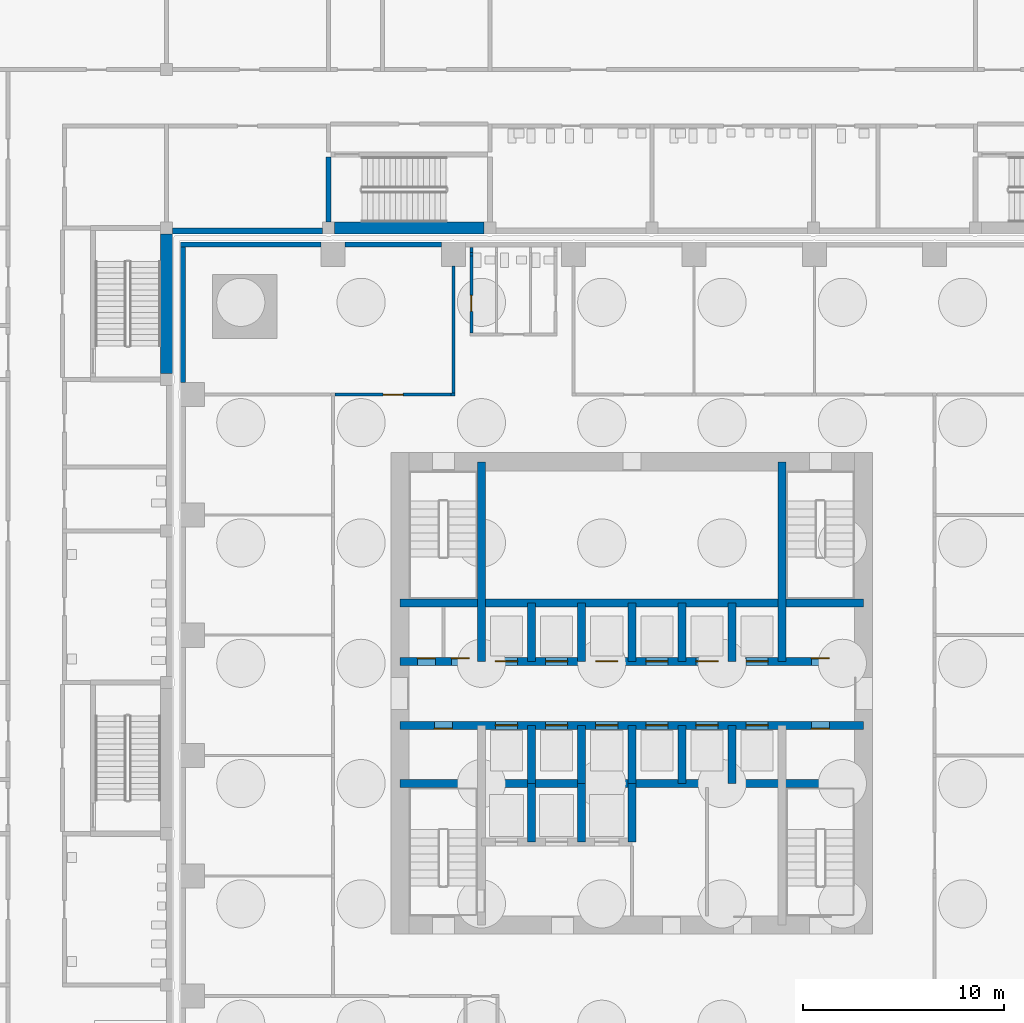
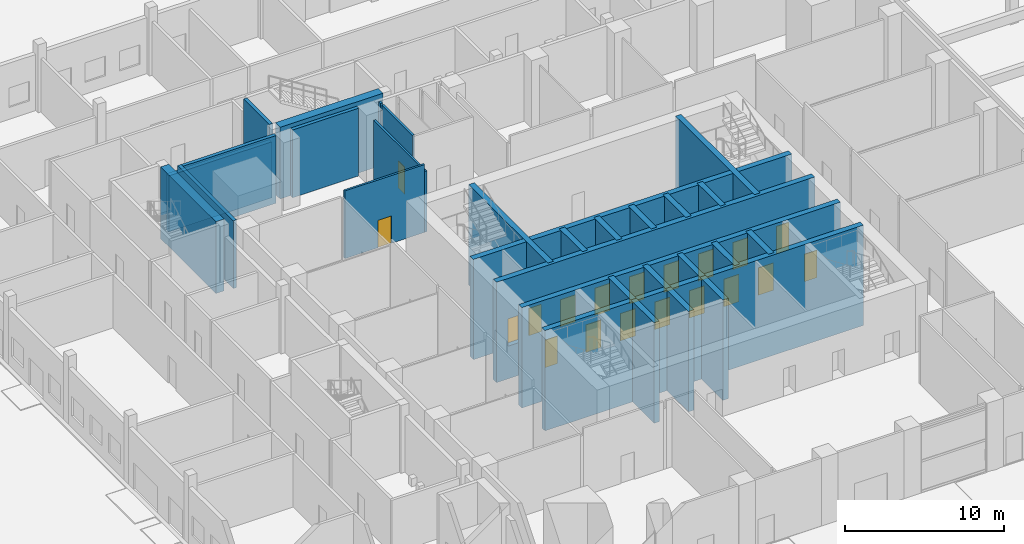
# One storey, part 14 of 33: 32 walls, 19 doors, 19 openings.
"""IFC4 building model written with IfcOpenShell, lengths in metres."""

import ifcopenshell
import ifcopenshell.guid

model = None  # the IFC model being written
_history = None  # IfcOwnerHistory: only IFC2X3 demands one
_inside = {}  # id of a spatial element -> (the spatial element, [elements in it])
_under = {}  # id of a project, library or spatial element -> (it, [spatial elements below it])
_declared = {}  # id of a project -> (the project, [libraries it declares])
_typed = {}  # id of a type object -> (the type object, [elements of that type])
_made_of = {}  # id of a material, layer set ... -> (it, [elements and type objects made of it])


def new_model(schema):
    """Start an empty IFC model of exactly this schema.

    Asked for "IFC4X3", IfcOpenShell would pick the latest addendum, in which some entities
    have other attributes; the version numbers below select the first issue.
    IFC2X3 requires an IfcOwnerHistory on every rooted entity: one is made here for all.
    """
    global model, _history
    if schema == "IFC4X3":
        model = ifcopenshell.file(schema_version=(4, 3, 0, 0))
    else:
        model = ifcopenshell.file(schema=schema)
    _inside.clear()
    _under.clear()
    _declared.clear()
    _typed.clear()
    _made_of.clear()
    _history = None
    if model.schema == "IFC2X3":
        org = make("IfcOrganization", Name="unknown")
        user = make(
            "IfcPersonAndOrganization",
            ThePerson=make("IfcPerson", FamilyName="unknown"),
            TheOrganization=org,
        )
        app = make(
            "IfcApplication",
            ApplicationDeveloper=org,
            Version="unknown",
            ApplicationFullName="unknown",
            ApplicationIdentifier="unknown",
        )
        _history = make(
            "IfcOwnerHistory",
            OwningUser=user,
            OwningApplication=app,
            ChangeAction="ADDED",
            CreationDate=0,
        )
    return model


def make(cls, **values):
    """One entity of the class cls with the attributes given. An attribute that is None is left unset."""
    return model.create_entity(
        cls, **{name: value for name, value in values.items() if value is not None}
    )


def rooted(cls, **values):
    """An entity with a GlobalId (a new one), such as an element, a storey or a relation."""
    return make(cls, GlobalId=ifcopenshell.guid.new(), OwnerHistory=_history, **values)


def si_unit(unit_type, name, prefix=None):
    """IfcSIUnit, for example si_unit("LENGTHUNIT", "METRE", prefix="MILLI")."""
    return make("IfcSIUnit", UnitType=unit_type, Prefix=prefix, Name=name)


def assignment(units):
    """IfcUnitAssignment: the units of a project."""
    return None if units is None else make("IfcUnitAssignment", Units=units)


def point(xyz):
    """IfcCartesianPoint."""
    return None if xyz is None else make("IfcCartesianPoint", Coordinates=xyz)


def direction(xyz):
    """IfcDirection."""
    return None if xyz is None else make("IfcDirection", DirectionRatios=xyz)


def frame(location, z_axis=None, x_axis=None):
    """IfcAxis2Placement3D, a coordinate frame: its origin and axes. An axis left out is left unset."""
    return make(
        "IfcAxis2Placement3D",
        Location=point(location),
        Axis=direction(z_axis),
        RefDirection=direction(x_axis),
    )


def frame_2d(location, x_axis=None):
    """IfcAxis2Placement2D, a coordinate frame in the plane: its origin and x axis."""
    return make(
        "IfcAxis2Placement2D", Location=point(location), RefDirection=direction(x_axis)
    )


def origin():
    """The frame at (0, 0, 0) with its axes left unset."""
    return frame((0.0, 0.0, 0.0))


def place(relative_to, where):
    """IfcLocalPlacement: puts the frame where relative to a parent placement (None: the world)."""
    return make(
        "IfcLocalPlacement", PlacementRelTo=relative_to, RelativePlacement=where
    )


def context(
    kind, dimensions, precision=None, world=None, true_north=None, identifier=None
):
    """IfcGeometricRepresentationContext, for example the 3D "Model" context."""
    return make(
        "IfcGeometricRepresentationContext",
        ContextIdentifier=identifier,
        ContextType=kind,
        CoordinateSpaceDimension=dimensions,
        Precision=precision,
        WorldCoordinateSystem=world,
        TrueNorth=true_north,
    )


def subcontext(parent, identifier, kind, view, scale=None):
    """IfcGeometricRepresentationSubContext, for example "Body" below "Model"."""
    return make(
        "IfcGeometricRepresentationSubContext",
        ContextIdentifier=identifier,
        ContextType=kind,
        ParentContext=parent,
        TargetScale=scale,
        TargetView=view,
    )


def project(units=None, contexts=None):
    """IfcProject with its units and contexts."""
    return rooted(
        "IfcProject",
        Name="project",
        RepresentationContexts=contexts,
        UnitsInContext=assignment(units),
    )


def spatial(cls, under=None, at=None, **own):
    """A site, building, storey or space (cls), placed at a placement, below another one or the project."""
    s = rooted(cls, ObjectPlacement=at, **own)
    if under is not None:
        _under.setdefault(under.id(), (under, []))[1].append(s)
    return s


def profile(cls, at=None, kind="AREA", **sizes):
    """A parametric profile (cls). Its sizes go by their IFC names, for example OverallWidth=200.0."""
    return make(cls, ProfileType=kind, Position=at, **sizes)


def rectangle(**sizes):
    """IfcRectangleProfileDef."""
    return profile("IfcRectangleProfileDef", **sizes)


def extrude(swept, where, along, depth):
    """IfcExtrudedAreaSolid: the profile swept, set in the frame where, extruded along a direction by depth."""
    return make(
        "IfcExtrudedAreaSolid",
        SweptArea=swept,
        Position=where,
        ExtrudedDirection=direction(along),
        Depth=depth,
    )


def shape(context_of_items, identifier, shape_type, items):
    """IfcShapeRepresentation: the items that make up one representation, for example the "Body"."""
    return make(
        "IfcShapeRepresentation",
        ContextOfItems=context_of_items,
        RepresentationIdentifier=identifier,
        RepresentationType=shape_type,
        Items=items,
    )


def material(Name=None, Category=None):
    """IfcMaterial."""
    return make("IfcMaterial", Name=Name, Category=Category)


def layer(
    of_material, thickness, ventilated=None, Name=None, Category=None, Priority=None
):
    """IfcMaterialLayer: one layer of a wall or slab, of a material (None: an air gap)."""
    return make(
        "IfcMaterialLayer",
        Material=of_material,
        LayerThickness=thickness,
        IsVentilated=ventilated,
        Name=Name,
        Category=Category,
        Priority=Priority,
    )


def layer_set(layers, Name=None):
    """IfcMaterialLayerSet."""
    return make("IfcMaterialLayerSet", MaterialLayers=layers, LayerSetName=Name)


def made_of(thing, what):
    """Note that an element or type object is made of a material, layer set ...; save() writes the relation."""
    if what is not None:
        _made_of.setdefault(what.id(), (what, []))[1].append(thing)
    return thing


def type_object(cls, material=None, **own):
    """A type object (cls), such as IfcWallType, which elements share."""
    return made_of(rooted(cls, **own), material)


def element(
    cls,
    number,
    at=None,
    inside=None,
    cuts=None,
    type_object=None,
    material=None,
    context=None,
    identifier="Body",
    shape_type=None,
    held_by="IfcProductDefinitionShape",
    body=None,
    shapes=None,
    **own,
):
    """One element of the class cls, such as IfcWall. Its Tag is "e" and its number.

    at: its placement. inside: the storey or other place that contains it. cuts: it is an
    opening in that element (IfcRelVoidsElement). A single representation is given by context,
    identifier, shape_type and body (its items); several are given by shapes. held_by: the class
    of the entity that holds the representations. save() writes the other relations.
    """
    e = rooted(cls, Tag="e%d" % number, ObjectPlacement=at, **own)
    if body is not None:
        shapes = [shape(context, identifier, shape_type, body)]
    if shapes is not None:
        e.Representation = make(held_by, Representations=shapes)
    if inside is not None:
        _inside.setdefault(inside.id(), (inside, []))[1].append(e)
    if cuts is not None:
        rooted(
            "IfcRelVoidsElement", RelatingBuildingElement=cuts, RelatedOpeningElement=e
        )
    if type_object is not None:
        _typed.setdefault(type_object.id(), (type_object, []))[1].append(e)
    return made_of(e, material)


def fill(opening, filler):
    """IfcRelFillsElement: the door or window that sits in an opening."""
    return rooted(
        "IfcRelFillsElement",
        RelatingOpeningElement=opening,
        RelatedBuildingElement=filler,
    )


def aggregate(whole, parts):
    """IfcRelAggregates: a whole, such as a stair, and the parts it consists of."""
    return rooted("IfcRelAggregates", RelatingObject=whole, RelatedObjects=parts)


def save(model, path):
    """Write the relations noted so far, then the file.

    IfcRelAggregates (storeys below a building ...), IfcRelContainedInSpatialStructure (elements
    in a storey), IfcRelDefinesByType, IfcRelAssociatesMaterial and IfcRelDeclares: one each for
    every whole, place, type object, material and project.
    """
    for whole, parts in _under.values():
        aggregate(whole, parts)
    for where, things in _inside.values():
        rooted(
            "IfcRelContainedInSpatialStructure",
            RelatedElements=things,
            RelatingStructure=where,
        )
    for kind, things in _typed.values():
        rooted("IfcRelDefinesByType", RelatedObjects=things, RelatingType=kind)
    for what, things in _made_of.values():
        rooted("IfcRelAssociatesMaterial", RelatedObjects=things, RelatingMaterial=what)
    for by, libraries in _declared.values():
        rooted("IfcRelDeclares", RelatingContext=by, RelatedDefinitions=libraries)
    model.write(path)


model = new_model("IFC4")

# Units and contexts
model_context = context("Model", 3, precision=1e-05, world=origin(), true_north=direction((0.0, 1.0)))
body_context = subcontext(model_context, "Body", "Model", "MODEL_VIEW")
ifc_project = project(units=[si_unit("LENGTHUNIT", "METRE"), si_unit("AREAUNIT", "SQUARE_METRE"), si_unit("VOLUMEUNIT", "CUBIC_METRE"), si_unit("PLANEANGLEUNIT", "RADIAN"), si_unit("MASSUNIT", "GRAM", prefix="KILO")], contexts=[model_context])

# Site, building, storey
site_placement = place(None, origin())
site = spatial("IfcSite", under=ifc_project, at=site_placement, CompositionType="ELEMENT")
building_placement = place(site_placement, origin())
building = spatial("IfcBuilding", under=site, at=building_placement, Name="Amberfall Residences", CompositionType="ELEMENT")
storey_placement = place(building_placement, origin())
storey = spatial("IfcBuildingStorey", under=building, at=storey_placement, Name="L00", CompositionType="ELEMENT", Elevation=0.0)

# Wall
ifc_material_1 = material(Name="Concrete C80", Category="concrete")
ifc_layer_1 = layer(ifc_material_1, 0.39990234375)
ifc_layer_set_1 = layer_set([ifc_layer_1], Name="Core wall 400 C80")
wall_type_1 = type_object("IfcWallType", Name="Core wall 400 C80", PredefinedType="SHEAR", material=ifc_layer_set_1)
wall_1_placement = place(storey_placement, frame((62.949951171875, 41.0, -2.5), z_axis=(0.0, 0.0, 1.0), x_axis=(1.0, 0.0, 0.0)))
element("IfcWall", 1, at=wall_1_placement, inside=storey, type_object=wall_type_1, Name="Core wall RW2 L00 H75", PredefinedType="SHEAR", context=body_context, shape_type="SweptSolid", body=[
    extrude(rectangle(XDim=23.10009765625, YDim=0.39990234375, at=frame_2d((11.550048828125, 0.0))), origin(), (0.0, 0.0, 1.0), 7.699951171875),
])

# Wall, openings, doors
wall_2_placement = place(storey_placement, frame((62.949951171875, 43.89990234375, -2.5), z_axis=(0.0, 0.0, 1.0), x_axis=(1.0, 0.0, 0.0)))
wall_2 = element("IfcWall", 2, at=wall_2_placement, inside=storey, type_object=wall_type_1, Name="Core wall RW2 L00 H104", PredefinedType="SHEAR", context=body_context, shape_type="SweptSolid", body=[
    extrude(rectangle(XDim=23.10009765625, YDim=0.39990234375, at=frame_2d((11.550048828125, 0.0))), origin(), (0.0, 0.0, 1.0), 7.699951171875),
])
opening_1_placement = place(wall_2_placement, frame((1.699951171875, 0.0, 2.5)))
opening_1 = element("IfcOpeningElement", 3, at=opening_1_placement, cuts=wall_2, Name="Opening RD1", PredefinedType="OPENING", context=body_context, shape_type="SweptSolid", body=[
    extrude(rectangle(XDim=0.89990234375, YDim=2.10009765625, at=frame_2d((0.449951171875, 1.050048828125))), frame((0.0, 0.2099609375, 0.0), z_axis=(0.0, -1.0, 0.0), x_axis=(1.0, 0.0, 0.0)), (0.0, 0.0, 1.0), 0.419921875),
])
opening_2_placement = place(wall_2_placement, frame((20.5, 0.0, 2.5)))
opening_2 = element("IfcOpeningElement", 4, at=opening_2_placement, cuts=wall_2, Name="Opening RD1", PredefinedType="OPENING", context=body_context, shape_type="SweptSolid", body=[
    extrude(rectangle(XDim=0.89990234375, YDim=2.10009765625, at=frame_2d((0.449951171875, 1.050048828125))), frame((0.0, 0.2099609375, 0.0), z_axis=(0.0, -1.0, 0.0), x_axis=(1.0, 0.0, 0.0)), (0.0, 0.0, 1.0), 0.419921875),
])
opening_3_placement = place(wall_2_placement, frame((4.75, 0.0, 2.5)))
opening_3 = element("IfcOpeningElement", 5, at=opening_3_placement, cuts=wall_2, Name="Opening LD1", PredefinedType="OPENING", context=body_context, shape_type="SweptSolid", body=[
    extrude(rectangle(XDim=1.10009765625, YDim=2.10009765625, at=frame_2d((0.550048828125, 1.050048828125))), frame((0.0, 0.2099609375, 0.0), z_axis=(0.0, -1.0, 0.0), x_axis=(1.0, 0.0, 0.0)), (0.0, 0.0, 1.0), 0.419921875),
])
opening_4_placement = place(wall_2_placement, frame((7.25, 0.0, 2.5)))
opening_4 = element("IfcOpeningElement", 6, at=opening_4_placement, cuts=wall_2, Name="Opening LD1", PredefinedType="OPENING", context=body_context, shape_type="SweptSolid", body=[
    extrude(rectangle(XDim=1.10009765625, YDim=2.10009765625, at=frame_2d((0.550048828125, 1.050048828125))), frame((0.0, 0.2099609375, 0.0), z_axis=(0.0, -1.0, 0.0), x_axis=(1.0, 0.0, 0.0)), (0.0, 0.0, 1.0), 0.419921875),
])
opening_5_placement = place(wall_2_placement, frame((9.75, 0.0, 2.5)))
opening_5 = element("IfcOpeningElement", 7, at=opening_5_placement, cuts=wall_2, Name="Opening LD1", PredefinedType="OPENING", context=body_context, shape_type="SweptSolid", body=[
    extrude(rectangle(XDim=1.10009765625, YDim=2.10009765625, at=frame_2d((0.550048828125, 1.050048828125))), frame((0.0, 0.2099609375, 0.0), z_axis=(0.0, -1.0, 0.0), x_axis=(1.0, 0.0, 0.0)), (0.0, 0.0, 1.0), 0.419921875),
])
opening_6_placement = place(wall_2_placement, frame((12.25, 0.0, 2.5)))
opening_6 = element("IfcOpeningElement", 8, at=opening_6_placement, cuts=wall_2, Name="Opening LD1", PredefinedType="OPENING", context=body_context, shape_type="SweptSolid", body=[
    extrude(rectangle(XDim=1.10009765625, YDim=2.10009765625, at=frame_2d((0.550048828125, 1.050048828125))), frame((0.0, 0.2099609375, 0.0), z_axis=(0.0, -1.0, 0.0), x_axis=(1.0, 0.0, 0.0)), (0.0, 0.0, 1.0), 0.419921875),
])
opening_7_placement = place(wall_2_placement, frame((14.75, 0.0, 2.5)))
opening_7 = element("IfcOpeningElement", 9, at=opening_7_placement, cuts=wall_2, Name="Opening LD1", PredefinedType="OPENING", context=body_context, shape_type="SweptSolid", body=[
    extrude(rectangle(XDim=1.10009765625, YDim=2.10009765625, at=frame_2d((0.550048828125, 1.050048828125))), frame((0.0, 0.2099609375, 0.0), z_axis=(0.0, -1.0, 0.0), x_axis=(1.0, 0.0, 0.0)), (0.0, 0.0, 1.0), 0.419921875),
])
opening_8_placement = place(wall_2_placement, frame((17.25, 0.0, 2.5)))
opening_8 = element("IfcOpeningElement", 10, at=opening_8_placement, cuts=wall_2, Name="Opening LD1", PredefinedType="OPENING", context=body_context, shape_type="SweptSolid", body=[
    extrude(rectangle(XDim=1.10009765625, YDim=2.10009765625, at=frame_2d((0.550048828125, 1.050048828125))), frame((0.0, 0.2099609375, 0.0), z_axis=(0.0, -1.0, 0.0), x_axis=(1.0, 0.0, 0.0)), (0.0, 0.0, 1.0), 0.419921875),
])
ifc_material_2 = material(Name="Steel fire door set", Category="steel")
door_type_1 = type_object("IfcDoorType", Name="Lift landing door 1100 x 2100", OperationType="DOUBLE_DOOR_SLIDING", PredefinedType="DOOR", material=ifc_material_2)
door_1_placement = place(opening_3_placement, origin())
door_1 = element("IfcDoor", 11, at=door_1_placement, inside=storey, type_object=door_type_1, Name="Landing door LP1 L00", OperationType="DOUBLE_DOOR_SLIDING", OverallHeight=2.10009765625, OverallWidth=1.10009765625, PredefinedType="DOOR", context=body_context, shape_type="SweptSolid", body=[
    extrude(rectangle(XDim=1.10009765625, YDim=2.10009765625, at=frame_2d((0.550048828125, 1.050048828125))), frame((0.0, 0.02490234375, 0.0), z_axis=(0.0, -1.0, 0.0), x_axis=(1.0, 0.0, 0.0)), (0.0, 0.0, 1.0), 0.050048828125),
])
fill(opening_3, door_1)
door_2_placement = place(opening_4_placement, origin())
door_2 = element("IfcDoor", 12, at=door_2_placement, inside=storey, type_object=door_type_1, Name="Landing door LP2 L00", OperationType="DOUBLE_DOOR_SLIDING", OverallHeight=2.10009765625, OverallWidth=1.10009765625, PredefinedType="DOOR", context=body_context, shape_type="SweptSolid", body=[
    extrude(rectangle(XDim=1.10009765625, YDim=2.10009765625, at=frame_2d((0.550048828125, 1.050048828125))), frame((0.0, 0.02490234375, 0.0), z_axis=(0.0, -1.0, 0.0), x_axis=(1.0, 0.0, 0.0)), (0.0, 0.0, 1.0), 0.050048828125),
])
fill(opening_4, door_2)
door_3_placement = place(opening_5_placement, origin())
door_3 = element("IfcDoor", 13, at=door_3_placement, inside=storey, type_object=door_type_1, Name="Landing door LP3 L00", OperationType="DOUBLE_DOOR_SLIDING", OverallHeight=2.10009765625, OverallWidth=1.10009765625, PredefinedType="DOOR", context=body_context, shape_type="SweptSolid", body=[
    extrude(rectangle(XDim=1.10009765625, YDim=2.10009765625, at=frame_2d((0.550048828125, 1.050048828125))), frame((0.0, 0.02490234375, 0.0), z_axis=(0.0, -1.0, 0.0), x_axis=(1.0, 0.0, 0.0)), (0.0, 0.0, 1.0), 0.050048828125),
])
fill(opening_5, door_3)
door_4_placement = place(opening_6_placement, origin())
door_4 = element("IfcDoor", 14, at=door_4_placement, inside=storey, type_object=door_type_1, Name="Landing door LP4 L00", OperationType="DOUBLE_DOOR_SLIDING", OverallHeight=2.10009765625, OverallWidth=1.10009765625, PredefinedType="DOOR", context=body_context, shape_type="SweptSolid", body=[
    extrude(rectangle(XDim=1.10009765625, YDim=2.10009765625, at=frame_2d((0.550048828125, 1.050048828125))), frame((0.0, 0.02490234375, 0.0), z_axis=(0.0, -1.0, 0.0), x_axis=(1.0, 0.0, 0.0)), (0.0, 0.0, 1.0), 0.050048828125),
])
fill(opening_6, door_4)
door_5_placement = place(opening_7_placement, origin())
door_5 = element("IfcDoor", 15, at=door_5_placement, inside=storey, type_object=door_type_1, Name="Landing door LP5 L00", OperationType="DOUBLE_DOOR_SLIDING", OverallHeight=2.10009765625, OverallWidth=1.10009765625, PredefinedType="DOOR", context=body_context, shape_type="SweptSolid", body=[
    extrude(rectangle(XDim=1.10009765625, YDim=2.10009765625, at=frame_2d((0.550048828125, 1.050048828125))), frame((0.0, 0.02490234375, 0.0), z_axis=(0.0, -1.0, 0.0), x_axis=(1.0, 0.0, 0.0)), (0.0, 0.0, 1.0), 0.050048828125),
])
fill(opening_7, door_5)
door_6_placement = place(opening_8_placement, origin())
door_6 = element("IfcDoor", 16, at=door_6_placement, inside=storey, type_object=door_type_1, Name="Landing door LP6 L00", OperationType="DOUBLE_DOOR_SLIDING", OverallHeight=2.10009765625, OverallWidth=1.10009765625, PredefinedType="DOOR", context=body_context, shape_type="SweptSolid", body=[
    extrude(rectangle(XDim=1.10009765625, YDim=2.10009765625, at=frame_2d((0.550048828125, 1.050048828125))), frame((0.0, 0.02490234375, 0.0), z_axis=(0.0, -1.0, 0.0), x_axis=(1.0, 0.0, 0.0)), (0.0, 0.0, 1.0), 0.050048828125),
])
fill(opening_8, door_6)
door_type_2 = type_object("IfcDoorType", Name="Service room door 900 x 2100", OperationType="SINGLE_SWING_LEFT", PredefinedType="DOOR", material=ifc_material_2)
door_7_placement = place(opening_1_placement, origin())
door_7 = element("IfcDoor", 17, at=door_7_placement, inside=storey, type_object=door_type_2, Name="RD1 L00", OperationType="SINGLE_SWING_LEFT", OverallHeight=2.10009765625, OverallWidth=0.89990234375, PredefinedType="DOOR", context=body_context, shape_type="SweptSolid", body=[
    extrude(rectangle(XDim=0.89990234375, YDim=2.10009765625, at=frame_2d((0.449951171875, 1.050048828125))), frame((0.0, -0.1376953125, 0.0), z_axis=(0.0, -1.0, 0.0), x_axis=(1.0, 0.0, 0.0)), (0.0, 0.0, 1.0), 0.050048828125),
])
fill(opening_1, door_7)
door_8_placement = place(opening_2_placement, origin())
door_8 = element("IfcDoor", 18, at=door_8_placement, inside=storey, type_object=door_type_2, Name="RD1 L00", OperationType="SINGLE_SWING_LEFT", OverallHeight=2.10009765625, OverallWidth=0.89990234375, PredefinedType="DOOR", context=body_context, shape_type="SweptSolid", body=[
    extrude(rectangle(XDim=0.89990234375, YDim=2.10009765625, at=frame_2d((0.449951171875, 1.050048828125))), frame((0.0, -0.1376953125, 0.0), z_axis=(0.0, -1.0, 0.0), x_axis=(1.0, 0.0, 0.0)), (0.0, 0.0, 1.0), 0.050048828125),
])
fill(opening_2, door_8)

wall_3_placement = place(storey_placement, frame((62.949951171875, 47.10009765625, -2.5), z_axis=(0.0, 0.0, 1.0), x_axis=(1.0, 0.0, 0.0)))
wall_3 = element("IfcWall", 19, at=wall_3_placement, inside=storey, type_object=wall_type_1, Name="Core wall RW2 L00 H136", PredefinedType="SHEAR", context=body_context, shape_type="SweptSolid", body=[
    extrude(rectangle(XDim=23.10009765625, YDim=0.39990234375, at=frame_2d((11.550048828125, 0.0))), origin(), (0.0, 0.0, 1.0), 7.699951171875),
])
opening_9_placement = place(wall_3_placement, frame((0.85009765625, 0.0, 2.5)))
opening_9 = element("IfcOpeningElement", 20, at=opening_9_placement, cuts=wall_3, Name="Opening RD1", PredefinedType="OPENING", context=body_context, shape_type="SweptSolid", body=[
    extrude(rectangle(XDim=0.89990234375, YDim=2.10009765625, at=frame_2d((0.449951171875, 1.050048828125))), frame((0.0, 0.2099609375, 0.0), z_axis=(0.0, -1.0, 0.0), x_axis=(1.0, 0.0, 0.0)), (0.0, 0.0, 1.0), 0.419921875),
])
opening_10_placement = place(wall_3_placement, frame((2.550048828125, 0.0, 2.5)))
opening_10 = element("IfcOpeningElement", 21, at=opening_10_placement, cuts=wall_3, Name="Opening RD1", PredefinedType="OPENING", context=body_context, shape_type="SweptSolid", body=[
    extrude(rectangle(XDim=0.89990234375, YDim=2.10009765625, at=frame_2d((0.449951171875, 1.050048828125))), frame((0.0, 0.2099609375, 0.0), z_axis=(0.0, -1.0, 0.0), x_axis=(1.0, 0.0, 0.0)), (0.0, 0.0, 1.0), 0.419921875),
])
opening_11_placement = place(wall_3_placement, frame((20.5, 0.0, 2.5)))
opening_11 = element("IfcOpeningElement", 22, at=opening_11_placement, cuts=wall_3, Name="Opening RD1", PredefinedType="OPENING", context=body_context, shape_type="SweptSolid", body=[
    extrude(rectangle(XDim=0.89990234375, YDim=2.10009765625, at=frame_2d((0.449951171875, 1.050048828125))), frame((0.0, 0.2099609375, 0.0), z_axis=(0.0, -1.0, 0.0), x_axis=(1.0, 0.0, 0.0)), (0.0, 0.0, 1.0), 0.419921875),
])
opening_12_placement = place(wall_3_placement, frame((4.75, 0.0, 2.5)))
opening_12 = element("IfcOpeningElement", 23, at=opening_12_placement, cuts=wall_3, Name="Opening LD1", PredefinedType="OPENING", context=body_context, shape_type="SweptSolid", body=[
    extrude(rectangle(XDim=1.10009765625, YDim=2.10009765625, at=frame_2d((0.550048828125, 1.050048828125))), frame((0.0, 0.2099609375, 0.0), z_axis=(0.0, -1.0, 0.0), x_axis=(1.0, 0.0, 0.0)), (0.0, 0.0, 1.0), 0.419921875),
])
opening_13_placement = place(wall_3_placement, frame((7.25, 0.0, 2.5)))
opening_13 = element("IfcOpeningElement", 24, at=opening_13_placement, cuts=wall_3, Name="Opening LD1", PredefinedType="OPENING", context=body_context, shape_type="SweptSolid", body=[
    extrude(rectangle(XDim=1.10009765625, YDim=2.10009765625, at=frame_2d((0.550048828125, 1.050048828125))), frame((0.0, 0.2099609375, 0.0), z_axis=(0.0, -1.0, 0.0), x_axis=(1.0, 0.0, 0.0)), (0.0, 0.0, 1.0), 0.419921875),
])
opening_14_placement = place(wall_3_placement, frame((9.75, 0.0, 2.5)))
opening_14 = element("IfcOpeningElement", 25, at=opening_14_placement, cuts=wall_3, Name="Opening LD1", PredefinedType="OPENING", context=body_context, shape_type="SweptSolid", body=[
    extrude(rectangle(XDim=1.10009765625, YDim=2.10009765625, at=frame_2d((0.550048828125, 1.050048828125))), frame((0.0, 0.2099609375, 0.0), z_axis=(0.0, -1.0, 0.0), x_axis=(1.0, 0.0, 0.0)), (0.0, 0.0, 1.0), 0.419921875),
])
opening_15_placement = place(wall_3_placement, frame((12.25, 0.0, 2.5)))
opening_15 = element("IfcOpeningElement", 26, at=opening_15_placement, cuts=wall_3, Name="Opening LD1", PredefinedType="OPENING", context=body_context, shape_type="SweptSolid", body=[
    extrude(rectangle(XDim=1.10009765625, YDim=2.10009765625, at=frame_2d((0.550048828125, 1.050048828125))), frame((0.0, 0.2099609375, 0.0), z_axis=(0.0, -1.0, 0.0), x_axis=(1.0, 0.0, 0.0)), (0.0, 0.0, 1.0), 0.419921875),
])
opening_16_placement = place(wall_3_placement, frame((14.75, 0.0, 2.5)))
opening_16 = element("IfcOpeningElement", 27, at=opening_16_placement, cuts=wall_3, Name="Opening LD1", PredefinedType="OPENING", context=body_context, shape_type="SweptSolid", body=[
    extrude(rectangle(XDim=1.10009765625, YDim=2.10009765625, at=frame_2d((0.550048828125, 1.050048828125))), frame((0.0, 0.2099609375, 0.0), z_axis=(0.0, -1.0, 0.0), x_axis=(1.0, 0.0, 0.0)), (0.0, 0.0, 1.0), 0.419921875),
])
opening_17_placement = place(wall_3_placement, frame((17.25, 0.0, 2.5)))
opening_17 = element("IfcOpeningElement", 28, at=opening_17_placement, cuts=wall_3, Name="Opening LD1", PredefinedType="OPENING", context=body_context, shape_type="SweptSolid", body=[
    extrude(rectangle(XDim=1.10009765625, YDim=2.10009765625, at=frame_2d((0.550048828125, 1.050048828125))), frame((0.0, 0.2099609375, 0.0), z_axis=(0.0, -1.0, 0.0), x_axis=(1.0, 0.0, 0.0)), (0.0, 0.0, 1.0), 0.419921875),
])
door_9_placement = place(opening_12_placement, origin())
door_9 = element("IfcDoor", 29, at=door_9_placement, inside=storey, type_object=door_type_1, Name="Landing door HP1 L00", OperationType="DOUBLE_DOOR_SLIDING", OverallHeight=2.10009765625, OverallWidth=1.10009765625, PredefinedType="DOOR", context=body_context, shape_type="SweptSolid", body=[
    extrude(rectangle(XDim=1.10009765625, YDim=2.10009765625, at=frame_2d((0.550048828125, 1.050048828125))), frame((0.0, 0.02490234375, 0.0), z_axis=(0.0, -1.0, 0.0), x_axis=(1.0, 0.0, 0.0)), (0.0, 0.0, 1.0), 0.050048828125),
])
fill(opening_12, door_9)
door_10_placement = place(opening_13_placement, origin())
door_10 = element("IfcDoor", 30, at=door_10_placement, inside=storey, type_object=door_type_1, Name="Landing door HP2 L00", OperationType="DOUBLE_DOOR_SLIDING", OverallHeight=2.10009765625, OverallWidth=1.10009765625, PredefinedType="DOOR", context=body_context, shape_type="SweptSolid", body=[
    extrude(rectangle(XDim=1.10009765625, YDim=2.10009765625, at=frame_2d((0.550048828125, 1.050048828125))), frame((0.0, 0.02490234375, 0.0), z_axis=(0.0, -1.0, 0.0), x_axis=(1.0, 0.0, 0.0)), (0.0, 0.0, 1.0), 0.050048828125),
])
fill(opening_13, door_10)
door_11_placement = place(opening_14_placement, origin())
door_11 = element("IfcDoor", 31, at=door_11_placement, inside=storey, type_object=door_type_1, Name="Landing door HP3 L00", OperationType="DOUBLE_DOOR_SLIDING", OverallHeight=2.10009765625, OverallWidth=1.10009765625, PredefinedType="DOOR", context=body_context, shape_type="SweptSolid", body=[
    extrude(rectangle(XDim=1.10009765625, YDim=2.10009765625, at=frame_2d((0.550048828125, 1.050048828125))), frame((0.0, 0.02490234375, 0.0), z_axis=(0.0, -1.0, 0.0), x_axis=(1.0, 0.0, 0.0)), (0.0, 0.0, 1.0), 0.050048828125),
])
fill(opening_14, door_11)
door_12_placement = place(opening_15_placement, origin())
door_12 = element("IfcDoor", 32, at=door_12_placement, inside=storey, type_object=door_type_1, Name="Landing door HP4 L00", OperationType="DOUBLE_DOOR_SLIDING", OverallHeight=2.10009765625, OverallWidth=1.10009765625, PredefinedType="DOOR", context=body_context, shape_type="SweptSolid", body=[
    extrude(rectangle(XDim=1.10009765625, YDim=2.10009765625, at=frame_2d((0.550048828125, 1.050048828125))), frame((0.0, 0.02490234375, 0.0), z_axis=(0.0, -1.0, 0.0), x_axis=(1.0, 0.0, 0.0)), (0.0, 0.0, 1.0), 0.050048828125),
])
fill(opening_15, door_12)
door_13_placement = place(opening_16_placement, origin())
door_13 = element("IfcDoor", 33, at=door_13_placement, inside=storey, type_object=door_type_1, Name="Landing door HP5 L00", OperationType="DOUBLE_DOOR_SLIDING", OverallHeight=2.10009765625, OverallWidth=1.10009765625, PredefinedType="DOOR", context=body_context, shape_type="SweptSolid", body=[
    extrude(rectangle(XDim=1.10009765625, YDim=2.10009765625, at=frame_2d((0.550048828125, 1.050048828125))), frame((0.0, 0.02490234375, 0.0), z_axis=(0.0, -1.0, 0.0), x_axis=(1.0, 0.0, 0.0)), (0.0, 0.0, 1.0), 0.050048828125),
])
fill(opening_16, door_13)
door_14_placement = place(opening_17_placement, origin())
door_14 = element("IfcDoor", 34, at=door_14_placement, inside=storey, type_object=door_type_1, Name="Landing door HP6 L00", OperationType="DOUBLE_DOOR_SLIDING", OverallHeight=2.10009765625, OverallWidth=1.10009765625, PredefinedType="DOOR", context=body_context, shape_type="SweptSolid", body=[
    extrude(rectangle(XDim=1.10009765625, YDim=2.10009765625, at=frame_2d((0.550048828125, 1.050048828125))), frame((0.0, 0.02490234375, 0.0), z_axis=(0.0, -1.0, 0.0), x_axis=(1.0, 0.0, 0.0)), (0.0, 0.0, 1.0), 0.050048828125),
])
fill(opening_17, door_14)
door_15_placement = place(opening_9_placement, origin())
door_15 = element("IfcDoor", 35, at=door_15_placement, inside=storey, type_object=door_type_2, Name="RD1 L00", OperationType="SINGLE_SWING_LEFT", OverallHeight=2.10009765625, OverallWidth=0.89990234375, PredefinedType="DOOR", context=body_context, shape_type="SweptSolid", body=[
    extrude(rectangle(XDim=0.89990234375, YDim=2.10009765625, at=frame_2d((0.449951171875, 1.050048828125))), frame((0.0, 0.1875, 0.0), z_axis=(0.0, -1.0, 0.0), x_axis=(1.0, 0.0, 0.0)), (0.0, 0.0, 1.0), 0.050048828125),
])
fill(opening_9, door_15)
door_16_placement = place(opening_10_placement, origin())
door_16 = element("IfcDoor", 36, at=door_16_placement, inside=storey, type_object=door_type_2, Name="RD1 L00", OperationType="SINGLE_SWING_RIGHT", OverallHeight=2.10009765625, OverallWidth=0.89990234375, PredefinedType="DOOR", context=body_context, shape_type="SweptSolid", body=[
    extrude(rectangle(XDim=0.89990234375, YDim=2.10009765625, at=frame_2d((0.449951171875, 1.050048828125))), frame((0.0, 0.1875, 0.0), z_axis=(0.0, -1.0, 0.0), x_axis=(1.0, 0.0, 0.0)), (0.0, 0.0, 1.0), 0.050048828125),
])
fill(opening_10, door_16)
door_17_placement = place(opening_11_placement, origin())
door_17 = element("IfcDoor", 37, at=door_17_placement, inside=storey, type_object=door_type_2, Name="RD1 L00", OperationType="SINGLE_SWING_LEFT", OverallHeight=2.10009765625, OverallWidth=0.89990234375, PredefinedType="DOOR", context=body_context, shape_type="SweptSolid", body=[
    extrude(rectangle(XDim=0.89990234375, YDim=2.10009765625, at=frame_2d((0.449951171875, 1.050048828125))), frame((0.0, 0.1875, 0.0), z_axis=(0.0, -1.0, 0.0), x_axis=(1.0, 0.0, 0.0)), (0.0, 0.0, 1.0), 0.050048828125),
])
fill(opening_11, door_17)

# Walls
wall_4_placement = place(storey_placement, frame((62.949951171875, 50.0, -2.5), z_axis=(0.0, 0.0, 1.0), x_axis=(1.0, 0.0, 0.0)))
element("IfcWall", 38, at=wall_4_placement, inside=storey, type_object=wall_type_1, Name="Core wall RW2 L00 H165", PredefinedType="SHEAR", context=body_context, shape_type="SweptSolid", body=[
    extrude(rectangle(XDim=23.10009765625, YDim=0.39990234375, at=frame_2d((11.550048828125, 0.0))), origin(), (0.0, 0.0, 1.0), 7.699951171875),
])
for number, where, z_axis, x_axis, name in (
    (39, (67.0, 47.10009765625, -2.5), (0.0, 0.0, 1.0), (0.0, 1.0, 0.0), "Core wall RW2 L00 V45N"),
    (40, (82.0, 47.10009765625, -2.5), (0.0, 0.0, 1.0), (0.0, 1.0, 0.0), "Core wall RW2 L00 V195N"),
):
    element("IfcWall", number, at=place(storey_placement, frame(where, z_axis=z_axis, x_axis=x_axis)), inside=storey, type_object=wall_type_1, Name=name, PredefinedType="SHEAR", context=body_context, shape_type="SweptSolid", body=[
        extrude(rectangle(XDim=9.949951171875, YDim=0.39990234375, at=frame_2d((4.97509765625, 0.0))), origin(), (0.0, 0.0, 1.0), 7.699951171875),
    ])
for number, where, z_axis, x_axis, name in (
    (41, (69.5, 41.0, -2.5), (0.0, 0.0, 1.0), (0.0, 1.0, 0.0), "Core wall RW2 L00 LPD1"),
    (42, (69.5, 47.10009765625, -2.5), (0.0, 0.0, 1.0), (0.0, 1.0, 0.0), "Core wall RW2 L00 HPD1"),
    (43, (72.0, 41.0, -2.5), (0.0, 0.0, 1.0), (0.0, 1.0, 0.0), "Core wall RW2 L00 LPD2"),
    (44, (72.0, 47.10009765625, -2.5), (0.0, 0.0, 1.0), (0.0, 1.0, 0.0), "Core wall RW2 L00 HPD2"),
    (45, (74.5, 41.0, -2.5), (0.0, 0.0, 1.0), (0.0, 1.0, 0.0), "Core wall RW2 L00 LPD3"),
    (46, (74.5, 47.10009765625, -2.5), (0.0, 0.0, 1.0), (0.0, 1.0, 0.0), "Core wall RW2 L00 HPD3"),
    (47, (77.0, 41.0, -2.5), (0.0, 0.0, 1.0), (0.0, 1.0, 0.0), "Core wall RW2 L00 LPD4"),
    (48, (77.0, 47.10009765625, -2.5), (0.0, 0.0, 1.0), (0.0, 1.0, 0.0), "Core wall RW2 L00 HPD4"),
    (49, (79.5, 41.0, -2.5), (0.0, 0.0, 1.0), (0.0, 1.0, 0.0), "Core wall RW2 L00 LPD5"),
    (50, (79.5, 47.10009765625, -2.5), (0.0, 0.0, 1.0), (0.0, 1.0, 0.0), "Core wall RW2 L00 HPD5"),
    (51, (69.5, 38.10009765625, -2.5), (0.0, 0.0, 1.0), (0.0, 1.0, 0.0), "Core wall RW2 L00 FFD1"),
    (52, (72.0, 38.10009765625, -2.5), (0.0, 0.0, 1.0), (0.0, 1.0, 0.0), "Core wall RW2 L00 FFD2"),
    (53, (74.5, 38.10009765625, -2.5), (0.0, 0.0, 1.0), (0.0, 1.0, 0.0), "Core wall RW2 L00 FFD3"),
):
    element("IfcWall", number, at=place(storey_placement, frame(where, z_axis=z_axis, x_axis=x_axis)), inside=storey, type_object=wall_type_1, Name=name, PredefinedType="SHEAR", context=body_context, shape_type="SweptSolid", body=[
        extrude(rectangle(XDim=2.89990234375, YDim=0.39990234375, at=frame_2d((1.449951171875, 0.0))), origin(), (0.0, 0.0, 1.0), 7.699951171875),
    ])

# Wall, opening, door
ifc_material_3 = material(Name="Fire-rated gypsum board on steel studs", Category="steel")
ifc_layer_2 = layer(ifc_material_3, 0.14990234375)
ifc_layer_set_2 = layer_set([ifc_layer_2], Name="Partition 150 fire-rated")
wall_type_2 = type_object("IfcWallType", Name="Partition 150 fire-rated", PredefinedType="PARTITIONING", material=ifc_layer_set_2)
wall_5_placement = place(storey_placement, frame((59.705322265625, 60.39990234375, 0.0), z_axis=(0.0, 0.0, 1.0), x_axis=(1.0, 0.0, 0.0)))
wall_5 = element("IfcWall", 54, at=wall_5_placement, inside=storey, type_object=wall_type_2, Name="Partition 150 fire-rated L00 012", PredefinedType="PARTITIONING", context=body_context, shape_type="SweptSolid", body=[
    extrude(rectangle(XDim=5.7900390625, YDim=0.14990234375, at=frame_2d((2.89501953125, 0.0))), origin(), (0.0, 0.0, 1.0), 5.199951171875),
])
opening_18_placement = place(wall_5_placement, frame((2.39453125, 0.0, 0.0)))
opening_18 = element("IfcOpeningElement", 55, at=opening_18_placement, cuts=wall_5, Name="Opening D2", PredefinedType="OPENING", context=body_context, shape_type="SweptSolid", body=[
    extrude(rectangle(XDim=1.0, YDim=2.10009765625, at=frame_2d((0.5, 1.050048828125))), frame((0.0, 0.0849609375, 0.0), z_axis=(0.0, -1.0, 0.0), x_axis=(1.0, 0.0, 0.0)), (0.0, 0.0, 1.0), 0.169921875),
])
ifc_material_4 = material(Name="Steel fire door leaf", Category="steel")
door_type_3 = type_object("IfcDoorType", Name="Fire door 1000x2100 FD30S", OperationType="SINGLE_SWING_LEFT", PredefinedType="DOOR", material=ifc_material_4)
door_18_placement = place(opening_18_placement, origin())
door_18 = element("IfcDoor", 56, at=door_18_placement, inside=storey, type_object=door_type_3, Name="Door Bicycle store", OperationType="SINGLE_SWING_LEFT", OverallHeight=2.10009765625, OverallWidth=1.0, PredefinedType="DOOR", context=body_context, shape_type="SweptSolid", body=[
    extrude(rectangle(XDim=1.0, YDim=2.10009765625, at=frame_2d((0.5, 1.050048828125))), frame((0.0, 0.02490234375, 0.0), z_axis=(0.0, -1.0, 0.0), x_axis=(1.0, 0.0, 0.0)), (0.0, 0.0, 1.0), 0.050048828125),
])
fill(opening_18, door_18)

# Walls
wall_6_placement = place(storey_placement, frame((65.495361328125, 60.39990234375, 0.0), z_axis=(0.0, 0.0, 1.0), x_axis=(1.0, 0.0, 0.0)))
element("IfcWall", 57, at=wall_6_placement, inside=storey, type_object=wall_type_2, Name="Partition 150 fire-rated L00 013", PredefinedType="PARTITIONING", context=body_context, shape_type="SweptSolid", body=[
    extrude(rectangle(XDim=0.1796875, YDim=0.14990234375, at=frame_2d((0.08984375, 0.0))), origin(), (0.0, 0.0, 1.0), 4.6669921875),
])
wall_7_placement = place(storey_placement, frame((65.60009765625, 60.47509765625, 0.0), z_axis=(0.0, 0.0, 1.0), x_axis=(0.0, 1.0, 0.0)))
element("IfcWall", 58, at=wall_7_placement, inside=storey, type_object=wall_type_2, Name="Partition 150 fire-rated L00 032", PredefinedType="PARTITIONING", context=body_context, shape_type="SweptSolid", body=[
    extrude(rectangle(XDim=6.324951171875, YDim=0.14990234375, at=frame_2d((3.16259765625, 0.0))), origin(), (0.0, 0.0, 1.0), 4.6669921875),
])

# Wall, opening, door
wall_8_placement = place(storey_placement, frame((66.5, 63.47509765625, 0.0), z_axis=(0.0, 0.0, 1.0), x_axis=(0.0, 1.0, 0.0)))
wall_8 = element("IfcWall", 59, at=wall_8_placement, inside=storey, type_object=wall_type_2, Name="Partition 150 fire-rated L00 034", PredefinedType="PARTITIONING", context=body_context, shape_type="SweptSolid", body=[
    extrude(rectangle(XDim=3.830078125, YDim=0.14990234375, at=frame_2d((1.9150390625, 0.0))), origin(), (0.0, 0.0, 1.0), 5.199951171875),
])
opening_19_placement = place(wall_8_placement, frame((1.074951171875, 0.0, 0.0)))
opening_19 = element("IfcOpeningElement", 60, at=opening_19_placement, cuts=wall_8, Name="Opening D3", PredefinedType="OPENING", context=body_context, shape_type="SweptSolid", body=[
    extrude(rectangle(XDim=0.800048828125, YDim=2.10009765625, at=frame_2d((0.39990234375, 1.050048828125))), frame((0.0, 0.0849609375, 0.0), z_axis=(0.0, -1.0, 0.0), x_axis=(1.0, 0.0, 0.0)), (0.0, 0.0, 1.0), 0.169921875),
])
ifc_material_5 = material(Name="Timber veneer door leaf", Category="wood")
door_type_4 = type_object("IfcDoorType", Name="Toilet door 800x2100", OperationType="SINGLE_SWING_LEFT", PredefinedType="DOOR", material=ifc_material_5)
door_19_placement = place(opening_19_placement, origin())
door_19 = element("IfcDoor", 61, at=door_19_placement, inside=storey, type_object=door_type_4, Name="Door Gents WC L00", OperationType="SINGLE_SWING_LEFT", OverallHeight=2.10009765625, OverallWidth=0.800048828125, PredefinedType="DOOR", context=body_context, shape_type="SweptSolid", body=[
    extrude(rectangle(XDim=0.800048828125, YDim=2.10009765625, at=frame_2d((0.39990234375, 1.050048828125))), frame((0.0, 0.02490234375, 0.0), z_axis=(0.0, -1.0, 0.0), x_axis=(1.0, 0.0, 0.0)), (0.0, 0.0, 1.0), 0.050048828125),
])
fill(opening_19, door_19)

# Walls
wall_9_placement = place(storey_placement, frame((66.5, 67.30517578125, 0.0), z_axis=(0.0, 0.0, 1.0), x_axis=(0.0, 1.0, 0.0)))
element("IfcWall", 62, at=wall_9_placement, inside=storey, type_object=wall_type_2, Name="Partition 150 fire-rated L00 035", PredefinedType="PARTITIONING", context=body_context, shape_type="SweptSolid", body=[
    extrude(rectangle(XDim=0.18994140625, YDim=0.14990234375, at=frame_2d((0.094970703125, 0.0))), origin(), (0.0, 0.0, 1.0), 4.7470703125),
])
wall_10_placement = place(storey_placement, frame((66.5, 67.4951171875, 0.0), z_axis=(0.0, 0.0, 1.0), x_axis=(0.0, 1.0, 0.0)))
element("IfcWall", 63, at=wall_10_placement, inside=storey, type_object=wall_type_2, Name="Partition 150 fire-rated L00 036", PredefinedType="PARTITIONING", context=body_context, shape_type="SweptSolid", body=[
    extrude(rectangle(XDim=0.244873046875, YDim=0.14990234375, at=frame_2d((0.12255859375, 0.0))), origin(), (0.0, 0.0, 1.0), 5.199951171875),
])
ifc_material_6 = material(Name="Precast concrete C40", Category="concrete")
ifc_layer_3 = layer(ifc_material_6, 0.25)
ifc_layer_set_3 = layer_set([ifc_layer_3], Name="Podium external wall 250")
wall_type_3 = type_object("IfcWallType", Name="Podium external wall 250", PredefinedType="SOLIDWALL", material=ifc_layer_set_3)
wall_11_placement = place(storey_placement, frame((52.0, 67.875, 0.0), z_axis=(0.0, 0.0, 1.0), x_axis=(1.0, 0.0, 0.0)))
element("IfcWall", 64, at=wall_11_placement, inside=storey, type_object=wall_type_3, Name="Podium external wall N1", PredefinedType="SOLIDWALL", context=body_context, shape_type="SweptSolid", body=[
    extrude(rectangle(XDim=7.0, YDim=0.25, at=frame_2d((3.5, 0.0))), origin(), (0.0, 0.0, 1.0), 5.199951171875),
])
wall_12_placement = place(storey_placement, frame((60.199951171875, 67.875, 0.0), z_axis=(0.0, 0.0, 1.0), x_axis=(1.0, 0.0, 0.0)))
element("IfcWall", 65, at=wall_12_placement, inside=storey, type_object=wall_type_3, Name="Podium external wall N2", PredefinedType="SOLIDWALL", context=body_context, shape_type="SweptSolid", body=[
    extrude(rectangle(XDim=4.800048828125, YDim=0.25, at=frame_2d((2.39990234375, 0.0))), origin(), (0.0, 0.0, 1.0), 5.199951171875),
])
wall_13_placement = place(storey_placement, frame((52.125, 61.0, 0.0), z_axis=(0.0, 0.0, 1.0), x_axis=(0.0, 1.0, 0.0)))
element("IfcWall", 66, at=wall_13_placement, inside=storey, type_object=wall_type_3, Name="Podium external wall W7", PredefinedType="SOLIDWALL", context=body_context, shape_type="SweptSolid", body=[
    extrude(rectangle(XDim=7.0, YDim=0.25, at=frame_2d((3.5, 0.0))), origin(), (0.0, 0.0, 1.0), 5.199951171875),
])
ifc_material_7 = material(Name="Aerated block wall")
ifc_layer_4 = layer(ifc_material_7, 0.300048828125)
ifc_layer_set_4 = layer_set([ifc_layer_4], Name="School external wall 300")
wall_type_4 = type_object("IfcWallType", Name="School external wall 300", PredefinedType="SOLIDWALL", material=ifc_layer_set_4)
wall_14_placement = place(storey_placement, frame((51.60009765625, 68.550048828125, 0.0), z_axis=(0.0, 0.0, 1.0), x_axis=(1.0, 0.0, 0.0)))
element("IfcWall", 67, at=wall_14_placement, inside=storey, type_object=wall_type_4, Name="School external wall L00 EY0", PredefinedType="SOLIDWALL", context=body_context, shape_type="SweptSolid", body=[
    extrude(rectangle(XDim=7.466796875, YDim=0.300048828125, at=frame_2d((3.7333984375, 0.0))), origin(), (0.0, 0.0, 1.0), 4.300048828125),
])
ifc_material_8 = material(Name="Concrete C50", Category="concrete")
ifc_layer_5 = layer(ifc_material_8, 0.25)
ifc_layer_set_5 = layer_set([ifc_layer_5], Name="School stair core wall 250 C50")
wall_type_5 = type_object("IfcWallType", Name="School stair core wall 250 C50", PredefinedType="SHEAR", material=ifc_layer_set_5)
wall_15_placement = place(storey_placement, frame((59.366943359375, 69.0, -0.300048828125), z_axis=(0.0, 0.0, 1.0), x_axis=(0.0, 1.0, 0.0)))
element("IfcWall", 68, at=wall_15_placement, inside=storey, type_object=wall_type_5, Name="School core wall L00 SS4W", PredefinedType="SHEAR", context=body_context, shape_type="SweptSolid", body=[
    extrude(rectangle(XDim=3.25, YDim=0.25, at=frame_2d((1.625, 0.0))), origin(), (0.0, 0.0, 1.0), 5.5),
])
ifc_layer_6 = layer(ifc_material_8, 0.60009765625)
ifc_layer_set_6 = layer_set([ifc_layer_6], Name="School tower-side core wall 600 C50")
wall_type_6 = type_object("IfcWallType", Name="School tower-side core wall 600 C50", PredefinedType="SHEAR", material=ifc_layer_set_6)
wall_16_placement = place(storey_placement, frame((51.300048828125, 61.449951171875, -0.300048828125), z_axis=(0.0, 0.0, 1.0), x_axis=(0.0, 1.0, 0.0)))
element("IfcWall", 69, at=wall_16_placement, inside=storey, type_object=wall_type_6, Name="School core wall L00 SS3E", PredefinedType="SHEAR", context=body_context, shape_type="SweptSolid", body=[
    extrude(rectangle(XDim=6.949951171875, YDim=0.60009765625, at=frame_2d((3.47509765625, 0.0))), origin(), (0.0, 0.0, 1.0), 5.5),
])
wall_17_placement = place(storey_placement, frame((59.6669921875, 68.699951171875, -0.300048828125), z_axis=(0.0, 0.0, 1.0), x_axis=(1.0, 0.0, 0.0)))
element("IfcWall", 70, at=wall_17_placement, inside=storey, type_object=wall_type_6, Name="School core wall L00 SS4S", PredefinedType="SHEAR", context=body_context, shape_type="SweptSolid", body=[
    extrude(rectangle(XDim=7.466064453125, YDim=0.60009765625, at=frame_2d((3.73291015625, 0.0))), origin(), (0.0, 0.0, 1.0), 5.5),
])

save(model, "model.ifc")
